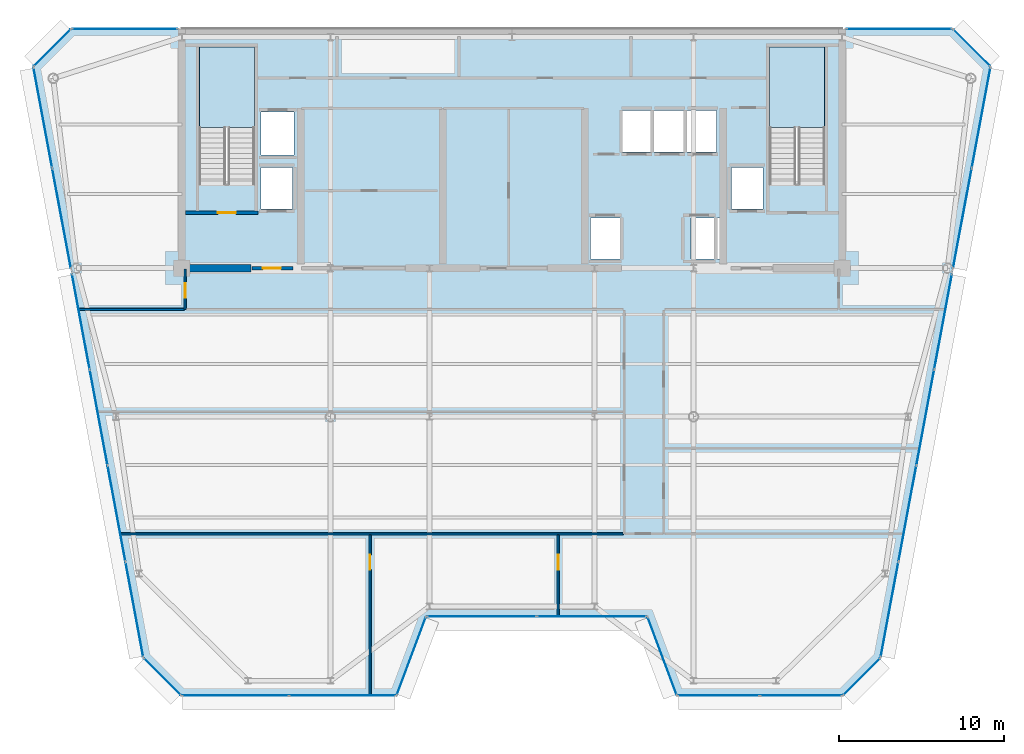
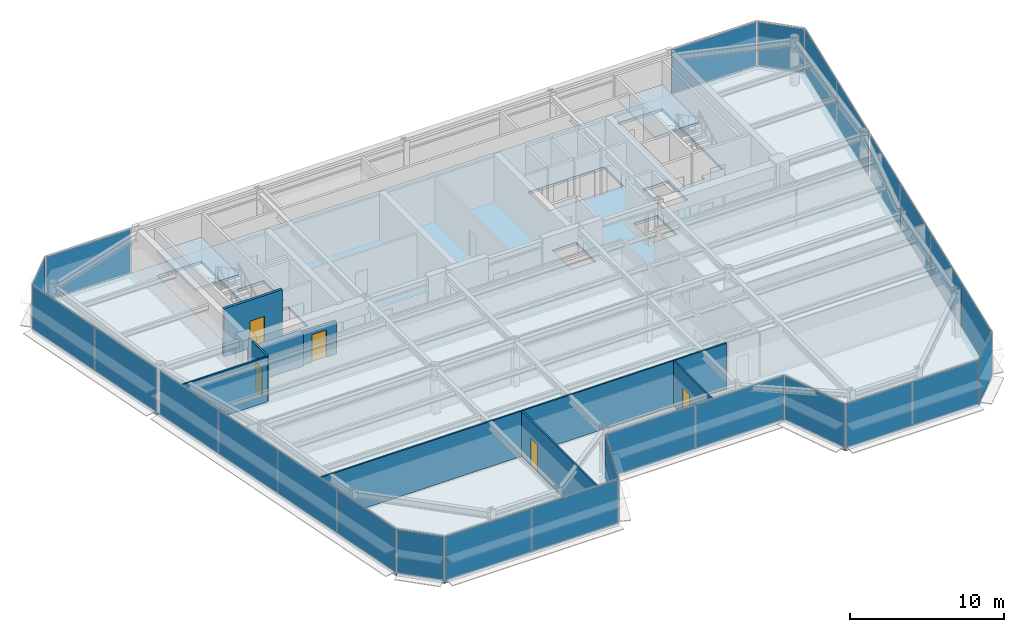
# One storey, part 9 of 18: 26 plates, 8 walls, 5 doors, 3 slabs, 5 openings, 17 elements without a shape of their own.
"""IFC4 building model written with IfcOpenShell, lengths in metres."""

import ifcopenshell
import ifcopenshell.guid

model = None  # the IFC model being written
_history = None  # IfcOwnerHistory: only IFC2X3 demands one
_inside = {}  # id of a spatial element -> (the spatial element, [elements in it])
_under = {}  # id of a project, library or spatial element -> (it, [spatial elements below it])
_declared = {}  # id of a project -> (the project, [libraries it declares])
_typed = {}  # id of a type object -> (the type object, [elements of that type])
_made_of = {}  # id of a material, layer set ... -> (it, [elements and type objects made of it])


def new_model(schema):
    """Start an empty IFC model of exactly this schema.

    Asked for "IFC4X3", IfcOpenShell would pick the latest addendum, in which some entities
    have other attributes; the version numbers below select the first issue.
    IFC2X3 requires an IfcOwnerHistory on every rooted entity: one is made here for all.
    """
    global model, _history
    if schema == "IFC4X3":
        model = ifcopenshell.file(schema_version=(4, 3, 0, 0))
    else:
        model = ifcopenshell.file(schema=schema)
    _inside.clear()
    _under.clear()
    _declared.clear()
    _typed.clear()
    _made_of.clear()
    _history = None
    if model.schema == "IFC2X3":
        org = make("IfcOrganization", Name="unknown")
        user = make(
            "IfcPersonAndOrganization",
            ThePerson=make("IfcPerson", FamilyName="unknown"),
            TheOrganization=org,
        )
        app = make(
            "IfcApplication",
            ApplicationDeveloper=org,
            Version="unknown",
            ApplicationFullName="unknown",
            ApplicationIdentifier="unknown",
        )
        _history = make(
            "IfcOwnerHistory",
            OwningUser=user,
            OwningApplication=app,
            ChangeAction="ADDED",
            CreationDate=0,
        )
    return model


def make(cls, **values):
    """One entity of the class cls with the attributes given. An attribute that is None is left unset."""
    return model.create_entity(
        cls, **{name: value for name, value in values.items() if value is not None}
    )


def rooted(cls, **values):
    """An entity with a GlobalId (a new one), such as an element, a storey or a relation."""
    return make(cls, GlobalId=ifcopenshell.guid.new(), OwnerHistory=_history, **values)


def si_unit(unit_type, name, prefix=None):
    """IfcSIUnit, for example si_unit("LENGTHUNIT", "METRE", prefix="MILLI")."""
    return make("IfcSIUnit", UnitType=unit_type, Prefix=prefix, Name=name)


def assignment(units):
    """IfcUnitAssignment: the units of a project."""
    return None if units is None else make("IfcUnitAssignment", Units=units)


def point(xyz):
    """IfcCartesianPoint."""
    return None if xyz is None else make("IfcCartesianPoint", Coordinates=xyz)


def direction(xyz):
    """IfcDirection."""
    return None if xyz is None else make("IfcDirection", DirectionRatios=xyz)


def frame(location, z_axis=None, x_axis=None):
    """IfcAxis2Placement3D, a coordinate frame: its origin and axes. An axis left out is left unset."""
    return make(
        "IfcAxis2Placement3D",
        Location=point(location),
        Axis=direction(z_axis),
        RefDirection=direction(x_axis),
    )


def frame_2d(location, x_axis=None):
    """IfcAxis2Placement2D, a coordinate frame in the plane: its origin and x axis."""
    return make(
        "IfcAxis2Placement2D", Location=point(location), RefDirection=direction(x_axis)
    )


def origin():
    """The frame at (0, 0, 0) with its axes left unset."""
    return frame((0.0, 0.0, 0.0))


def origin_2d():
    """The frame at (0, 0) in the plane with its x axis left unset."""
    return frame_2d((0.0, 0.0))


def place(relative_to, where):
    """IfcLocalPlacement: puts the frame where relative to a parent placement (None: the world)."""
    return make(
        "IfcLocalPlacement", PlacementRelTo=relative_to, RelativePlacement=where
    )


def context(
    kind, dimensions, precision=None, world=None, true_north=None, identifier=None
):
    """IfcGeometricRepresentationContext, for example the 3D "Model" context."""
    return make(
        "IfcGeometricRepresentationContext",
        ContextIdentifier=identifier,
        ContextType=kind,
        CoordinateSpaceDimension=dimensions,
        Precision=precision,
        WorldCoordinateSystem=world,
        TrueNorth=true_north,
    )


def subcontext(parent, identifier, kind, view, scale=None):
    """IfcGeometricRepresentationSubContext, for example "Body" below "Model"."""
    return make(
        "IfcGeometricRepresentationSubContext",
        ContextIdentifier=identifier,
        ContextType=kind,
        ParentContext=parent,
        TargetScale=scale,
        TargetView=view,
    )


def project(units=None, contexts=None):
    """IfcProject with its units and contexts."""
    return rooted(
        "IfcProject",
        Name="project",
        RepresentationContexts=contexts,
        UnitsInContext=assignment(units),
    )


def spatial(cls, under=None, at=None, **own):
    """A site, building, storey or space (cls), placed at a placement, below another one or the project."""
    s = rooted(cls, ObjectPlacement=at, **own)
    if under is not None:
        _under.setdefault(under.id(), (under, []))[1].append(s)
    return s


def polyline(points):
    """IfcPolyline through the points."""
    return make("IfcPolyline", Points=[point(p) for p in points])


def profile(cls, at=None, kind="AREA", **sizes):
    """A parametric profile (cls). Its sizes go by their IFC names, for example OverallWidth=200.0."""
    return make(cls, ProfileType=kind, Position=at, **sizes)


def rectangle(**sizes):
    """IfcRectangleProfileDef."""
    return profile("IfcRectangleProfileDef", **sizes)


def outline(outer, holes=None, kind="AREA"):
    """IfcArbitraryClosedProfileDef: a profile drawn as a closed curve; with holes, ...WithVoids."""
    if holes is None:
        return make("IfcArbitraryClosedProfileDef", ProfileType=kind, OuterCurve=outer)
    return make(
        "IfcArbitraryProfileDefWithVoids",
        ProfileType=kind,
        OuterCurve=outer,
        InnerCurves=holes,
    )


def extrude(swept, where, along, depth):
    """IfcExtrudedAreaSolid: the profile swept, set in the frame where, extruded along a direction by depth."""
    return make(
        "IfcExtrudedAreaSolid",
        SweptArea=swept,
        Position=where,
        ExtrudedDirection=direction(along),
        Depth=depth,
    )


def shape(context_of_items, identifier, shape_type, items):
    """IfcShapeRepresentation: the items that make up one representation, for example the "Body"."""
    return make(
        "IfcShapeRepresentation",
        ContextOfItems=context_of_items,
        RepresentationIdentifier=identifier,
        RepresentationType=shape_type,
        Items=items,
    )


def source(mapping_origin, context_of_items, identifier, shape_type, items):
    """IfcRepresentationMap: a shape defined once, which mapped items show again and again."""
    return make(
        "IfcRepresentationMap",
        MappingOrigin=mapping_origin,
        MappedRepresentation=shape(context_of_items, identifier, shape_type, items),
    )


def transform(
    local_origin,
    x_axis=None,
    y_axis=None,
    z_axis=None,
    scale=None,
    scale2=None,
    scale3=None,
    uniform=True,
):
    """IfcCartesianTransformationOperator3D, or its non-uniform kind. x_axis, y_axis, z_axis: its Axis1, 2, 3."""
    if uniform:
        return make(
            "IfcCartesianTransformationOperator3D",
            Axis1=direction(x_axis),
            Axis2=direction(y_axis),
            LocalOrigin=point(local_origin),
            Scale=scale,
            Axis3=direction(z_axis),
        )
    return make(
        "IfcCartesianTransformationOperator3DnonUniform",
        Axis1=direction(x_axis),
        Axis2=direction(y_axis),
        LocalOrigin=point(local_origin),
        Scale=scale,
        Axis3=direction(z_axis),
        Scale2=scale2,
        Scale3=scale3,
    )


def mapped(mapping_source, mapping_target):
    """IfcMappedItem: shows the shape of a source again, moved by a transform."""
    return make(
        "IfcMappedItem", MappingSource=mapping_source, MappingTarget=mapping_target
    )


def material(Name=None, Category=None):
    """IfcMaterial."""
    return make("IfcMaterial", Name=Name, Category=Category)


def layer(
    of_material, thickness, ventilated=None, Name=None, Category=None, Priority=None
):
    """IfcMaterialLayer: one layer of a wall or slab, of a material (None: an air gap)."""
    return make(
        "IfcMaterialLayer",
        Material=of_material,
        LayerThickness=thickness,
        IsVentilated=ventilated,
        Name=Name,
        Category=Category,
        Priority=Priority,
    )


def layer_set(layers, Name=None):
    """IfcMaterialLayerSet."""
    return make("IfcMaterialLayerSet", MaterialLayers=layers, LayerSetName=Name)


def made_of(thing, what):
    """Note that an element or type object is made of a material, layer set ...; save() writes the relation."""
    if what is not None:
        _made_of.setdefault(what.id(), (what, []))[1].append(thing)
    return thing


def type_object(cls, material=None, **own):
    """A type object (cls), such as IfcWallType, which elements share."""
    return made_of(rooted(cls, **own), material)


def element(
    cls,
    number,
    at=None,
    inside=None,
    cuts=None,
    type_object=None,
    material=None,
    context=None,
    identifier="Body",
    shape_type=None,
    held_by="IfcProductDefinitionShape",
    body=None,
    shapes=None,
    **own,
):
    """One element of the class cls, such as IfcWall. Its Tag is "e" and its number.

    at: its placement. inside: the storey or other place that contains it. cuts: it is an
    opening in that element (IfcRelVoidsElement). A single representation is given by context,
    identifier, shape_type and body (its items); several are given by shapes. held_by: the class
    of the entity that holds the representations. save() writes the other relations.
    """
    e = rooted(cls, Tag="e%d" % number, ObjectPlacement=at, **own)
    if body is not None:
        shapes = [shape(context, identifier, shape_type, body)]
    if shapes is not None:
        e.Representation = make(held_by, Representations=shapes)
    if inside is not None:
        _inside.setdefault(inside.id(), (inside, []))[1].append(e)
    if cuts is not None:
        rooted(
            "IfcRelVoidsElement", RelatingBuildingElement=cuts, RelatedOpeningElement=e
        )
    if type_object is not None:
        _typed.setdefault(type_object.id(), (type_object, []))[1].append(e)
    return made_of(e, material)


def fill(opening, filler):
    """IfcRelFillsElement: the door or window that sits in an opening."""
    return rooted(
        "IfcRelFillsElement",
        RelatingOpeningElement=opening,
        RelatedBuildingElement=filler,
    )


def aggregate(whole, parts):
    """IfcRelAggregates: a whole, such as a stair, and the parts it consists of."""
    return rooted("IfcRelAggregates", RelatingObject=whole, RelatedObjects=parts)


def save(model, path):
    """Write the relations noted so far, then the file.

    IfcRelAggregates (storeys below a building ...), IfcRelContainedInSpatialStructure (elements
    in a storey), IfcRelDefinesByType, IfcRelAssociatesMaterial and IfcRelDeclares: one each for
    every whole, place, type object, material and project.
    """
    for whole, parts in _under.values():
        aggregate(whole, parts)
    for where, things in _inside.values():
        rooted(
            "IfcRelContainedInSpatialStructure",
            RelatedElements=things,
            RelatingStructure=where,
        )
    for kind, things in _typed.values():
        rooted("IfcRelDefinesByType", RelatedObjects=things, RelatingType=kind)
    for what, things in _made_of.values():
        rooted("IfcRelAssociatesMaterial", RelatedObjects=things, RelatingMaterial=what)
    for by, libraries in _declared.values():
        rooted("IfcRelDeclares", RelatingContext=by, RelatedDefinitions=libraries)
    model.write(path)


model = new_model("IFC4")

# Units and contexts
model_context = context("Model", 3, precision=1e-05, world=origin(), true_north=direction((0.0, 1.0)))
body_context = subcontext(model_context, "Body", "Model", "MODEL_VIEW")
ifc_project = project(units=[si_unit("LENGTHUNIT", "METRE"), si_unit("AREAUNIT", "SQUARE_METRE"), si_unit("VOLUMEUNIT", "CUBIC_METRE"), si_unit("PLANEANGLEUNIT", "RADIAN"), si_unit("MASSUNIT", "GRAM", prefix="KILO")], contexts=[model_context])

# Site, building, storey
site_placement = place(None, origin())
site = spatial("IfcSite", under=ifc_project, at=site_placement, CompositionType="ELEMENT")
building_placement = place(site_placement, origin())
building = spatial("IfcBuilding", under=site, at=building_placement, Name="Vaeldorn Concourse Tower", CompositionType="ELEMENT")
storey_placement = place(building_placement, frame((0.0, 0.0, 253.60009765625)))
storey = spatial("IfcBuildingStorey", under=building, at=storey_placement, Name="L65", CompositionType="ELEMENT", Elevation=253.60009765625)

# Stair, slab
ifc_material_1 = material(Name="Precast concrete C40/50", Category="concrete")
stair_type = type_object("IfcStairType", Name="STR-DOG-24x158", PredefinedType="HALF_TURN_STAIR", material=ifc_material_1)
stair_1_placement = place(storey_placement, origin())
stair_1 = element("IfcStair", 1, at=stair_1_placement, inside=storey, type_object=stair_type, Name="L65 West Core Exit Stair ST-1", PredefinedType="HALF_TURN_STAIR")
ifc_material_2 = material(Name="Concrete C40/50", Category="concrete")
ifc_layer_1 = layer(ifc_material_2, 0.199951171875)
ifc_layer_set_1 = layer_set([ifc_layer_1], Name="Concrete C40/50")
slab_type_1 = type_object("IfcSlabType", Name="SL-STAIR-LANDING", PredefinedType="LANDING", material=ifc_layer_set_1)
slab_1_placement = place(storey_placement, frame((0.0, 0.0, 1.699951171875)))
slab_1 = element("IfcSlab", 2, at=slab_1_placement, type_object=slab_type_1, Name="ST-1 landing 1", PredefinedType="LANDING", context=body_context, shape_type="SweptSolid", body=[
    extrude(outline(polyline([(18.39990234375, 45.010009765625), (18.39990234375, 49.89990234375), (15.050048828125, 49.89990234375), (15.050048828125, 45.010009765625), (18.39990234375, 45.010009765625)])), origin(), (0.0, 0.0, 1.0), 0.199951171875),
])
aggregate(stair_1, [slab_1])

stair_2_placement = place(storey_placement, origin())
stair_2 = element("IfcStair", 3, at=stair_2_placement, inside=storey, type_object=stair_type, Name="L65 East Core Exit Stair ST-2", PredefinedType="HALF_TURN_STAIR")
slab_2_placement = place(storey_placement, frame((0.0, 0.0, 1.699951171875)))
slab_2 = element("IfcSlab", 4, at=slab_2_placement, type_object=slab_type_1, Name="ST-2 landing 1", PredefinedType="LANDING", context=body_context, shape_type="SweptSolid", body=[
    extrude(outline(polyline([(52.949951171875, 45.010009765625), (52.949951171875, 49.89990234375), (49.60009765625, 49.89990234375), (49.60009765625, 45.010009765625), (52.949951171875, 45.010009765625)])), origin(), (0.0, 0.0, 1.0), 0.199951171875),
])
aggregate(stair_2, [slab_2])

# Slab
ifc_layer_2 = layer(ifc_material_2, 0.219970703125)
ifc_layer_set_2 = layer_set([ifc_layer_2], Name="Concrete C40/50")
slab_type_2 = type_object("IfcSlabType", Name="SL-TYP-220", PredefinedType="FLOOR", material=ifc_layer_set_2)
slab_3_placement = place(storey_placement, frame((0.0, 0.0, -0.22021484375)))
element("IfcSlab", 5, at=slab_3_placement, inside=storey, type_object=slab_type_2, Name="Structural Floor Slab L65", PredefinedType="FLOOR", context=body_context, shape_type="SweptSolid", body=[
    extrude(outline(polyline([(13.966064453125, 10.60009765625), (27.0, 10.60009765625), (28.800048828125, 15.39990234375), (42.199951171875, 15.39990234375), (44.0, 10.60009765625), (54.033935546875, 10.60009765625), (56.333984375, 12.89990234375), (63.0, 48.699951171875), (60.699951171875, 51.0), (7.300048828125, 51.0), (5.0, 48.699951171875), (11.666015625, 12.89990234375), (13.966064453125, 10.60009765625)]), holes=[polyline([(18.39990234375, 42.0), (18.39990234375, 49.89990234375), (15.050048828125, 49.89990234375), (15.050048828125, 41.60009765625), (16.800048828125, 41.60009765625), (16.800048828125, 42.0), (18.39990234375, 42.0)]), polyline([(52.949951171875, 42.0), (52.949951171875, 49.89990234375), (49.60009765625, 49.89990234375), (49.60009765625, 41.60009765625), (51.35009765625, 41.60009765625), (51.35009765625, 42.0), (52.949951171875, 42.0)]), polyline([(38.75, 37.050048828125), (40.550048828125, 37.050048828125), (40.550048828125, 39.550048828125), (38.75, 39.550048828125), (38.75, 37.050048828125)]), polyline([(44.85009765625, 37.050048828125), (46.64990234375, 37.050048828125), (46.64990234375, 39.550048828125), (44.85009765625, 39.550048828125), (44.85009765625, 37.050048828125)]), polyline([(40.699951171875, 43.550048828125), (46.39990234375, 43.550048828125), (46.39990234375, 46.050048828125), (40.699951171875, 46.050048828125), (40.699951171875, 43.550048828125)]), polyline([(18.800048828125, 43.35009765625), (20.800048828125, 43.35009765625), (20.800048828125, 45.949951171875), (18.800048828125, 45.949951171875), (18.800048828125, 43.35009765625)]), polyline([(18.800048828125, 40.10009765625), (20.699951171875, 40.10009765625), (20.699951171875, 42.60009765625), (18.800048828125, 42.60009765625), (18.800048828125, 40.10009765625)]), polyline([(47.300048828125, 40.10009765625), (49.199951171875, 40.10009765625), (49.199951171875, 42.60009765625), (47.300048828125, 42.60009765625), (47.300048828125, 40.10009765625)])]), origin(), (0.0, 0.0, 1.0), 0.22021484375),
])

# Curtain wall, plate
ifc_material_3 = material(Name="Anodised Bronze Aluminium", Category="aluminium")
ifc_layer_3 = layer(ifc_material_3, 0.179931640625)
ifc_layer_set_3 = layer_set([ifc_layer_3], Name="Anodised Bronze Aluminium")
curtain_wall_type = type_object("IfcCurtainWallType", Name="CW-SYS-05", PredefinedType="NOTDEFINED", material=ifc_layer_set_3)
curtain_wall_1_placement = place(storey_placement, origin())
curtain_wall_1 = element("IfcCurtainWall", 6, at=curtain_wall_1_placement, inside=storey, type_object=curtain_wall_type, Name="Unitised Curtain Wall CW-L65-E02-1", PredefinedType="NOTDEFINED")
ifc_material_4 = material(Name="Bronze Tinted Low-E Insulated Glass", Category="glass")
ifc_layer_4 = layer(ifc_material_4, 0.031982421875)
ifc_layer_set_4 = layer_set([ifc_layer_4], Name="Bronze Tinted Low-E Insulated Glass")
plate_type = type_object("IfcPlateType", Name="CWP-VISION-32", PredefinedType="CURTAIN_PANEL", material=ifc_layer_set_4)
shared_shape_1 = source(origin(), body_context, "Body", "SweptSolid", [
    extrude(rectangle(XDim=4.996337890625, YDim=0.031982421875, at=origin_2d()), origin(), (0.0, 0.0, 1.0), 3.449951171875),
])
plate_1_placement = place(storey_placement, frame((27.89990234375, 13.0, 0.06494140625), z_axis=(0.0, 0.0, 1.0), x_axis=(0.351123441595, 0.936329177566, 0.0)))
plate_1 = element("IfcPlate", 7, at=plate_1_placement, type_object=plate_type, Name="CW-05 panel 1.1", PredefinedType="CURTAIN_PANEL", context=body_context, shape_type="MappedRepresentation", body=[
    mapped(shared_shape_1, transform((0.0, 0.0, 0.0), scale=1.0)),
])
aggregate(curtain_wall_1, [plate_1])

curtain_wall_2_placement = place(storey_placement, origin())
curtain_wall_2 = element("IfcCurtainWall", 8, at=curtain_wall_2_placement, inside=storey, type_object=curtain_wall_type, Name="Unitised Curtain Wall CW-L65-E04-1", PredefinedType="NOTDEFINED")
plate_2_placement = place(storey_placement, frame((43.10009765625, 13.0, 0.06494140625), z_axis=(0.0, 0.0, 1.0), x_axis=(0.351123441595, -0.936329177566, 0.0)))
plate_2 = element("IfcPlate", 9, at=plate_2_placement, type_object=plate_type, Name="CW-05 panel 1.1", PredefinedType="CURTAIN_PANEL", context=body_context, shape_type="MappedRepresentation", body=[
    mapped(shared_shape_1, transform((0.0, 0.0, 0.0), scale=1.0)),
])
aggregate(curtain_wall_2, [plate_2])

# Curtain wall, plates
curtain_wall_3_placement = place(storey_placement, origin())
curtain_wall_3 = element("IfcCurtainWall", 10, at=curtain_wall_3_placement, inside=storey, type_object=curtain_wall_type, Name="Unitised Curtain Wall CW-L65-E03-1", PredefinedType="NOTDEFINED")
shared_shape_2 = source(origin(), body_context, "Body", "SweptSolid", [
    extrude(rectangle(XDim=6.6025390625, YDim=0.031982421875, at=origin_2d()), origin(), (0.0, 0.0, 1.0), 3.449951171875),
])
plate_3_placement = place(storey_placement, frame((32.166259765625, 15.39990234375, 0.06494140625), z_axis=(0.0, 0.0, 1.0), x_axis=(1.0, 0.0, 0.0)))
plate_3 = element("IfcPlate", 11, at=plate_3_placement, type_object=plate_type, Name="CW-05 panel 1.1", PredefinedType="CURTAIN_PANEL", context=body_context, shape_type="MappedRepresentation", body=[
    mapped(shared_shape_2, transform((0.0, 0.0, 0.0), scale=1.0)),
])
plate_4_placement = place(storey_placement, frame((38.833740234375, 15.39990234375, 0.06494140625), z_axis=(0.0, 0.0, 1.0), x_axis=(1.0, 0.0, 0.0)))
plate_4 = element("IfcPlate", 12, at=plate_4_placement, type_object=plate_type, Name="CW-05 panel 2.1", PredefinedType="CURTAIN_PANEL", context=body_context, shape_type="MappedRepresentation", body=[
    mapped(shared_shape_2, transform((0.0, 0.0, 0.0), scale=1.0)),
])
aggregate(curtain_wall_3, [plate_3, plate_4])

# Curtain wall, plate
curtain_wall_4_placement = place(storey_placement, origin())
curtain_wall_4 = element("IfcCurtainWall", 13, at=curtain_wall_4_placement, inside=storey, type_object=curtain_wall_type, Name="Unitised Curtain Wall CW-L65-E06-1", PredefinedType="NOTDEFINED")
shared_shape_3 = source(origin(), body_context, "Body", "SweptSolid", [
    extrude(rectangle(XDim=3.122802734375, YDim=0.031982421875, at=origin_2d()), origin(), (0.0, 0.0, 1.0), 3.449951171875),
])
plate_5_placement = place(storey_placement, frame((55.18408203125, 11.75, 0.06494140625), z_axis=(0.0, 0.0, 1.0), x_axis=(0.707106781187, 0.707106781187, 0.0)))
plate_5 = element("IfcPlate", 14, at=plate_5_placement, type_object=plate_type, Name="CW-05 panel 1.1", PredefinedType="CURTAIN_PANEL", context=body_context, shape_type="MappedRepresentation", body=[
    mapped(shared_shape_3, transform((0.0, 0.0, 0.0), scale=1.0)),
])
aggregate(curtain_wall_4, [plate_5])

curtain_wall_5_placement = place(storey_placement, origin())
curtain_wall_5 = element("IfcCurtainWall", 15, at=curtain_wall_5_placement, inside=storey, type_object=curtain_wall_type, Name="Unitised Curtain Wall CW-L65-E08-1", PredefinedType="NOTDEFINED")
plate_6_placement = place(storey_placement, frame((61.85009765625, 49.85009765625, 0.06494140625), z_axis=(0.0, 0.0, 1.0), x_axis=(-0.707106781187, 0.707106781187, 0.0)))
plate_6 = element("IfcPlate", 16, at=plate_6_placement, type_object=plate_type, Name="CW-05 panel 1.1", PredefinedType="CURTAIN_PANEL", context=body_context, shape_type="MappedRepresentation", body=[
    mapped(shared_shape_3, transform((0.0, 0.0, 0.0), scale=1.0)),
])
aggregate(curtain_wall_5, [plate_6])

curtain_wall_6_placement = place(storey_placement, origin())
curtain_wall_6 = element("IfcCurtainWall", 17, at=curtain_wall_6_placement, inside=storey, type_object=curtain_wall_type, Name="Unitised Curtain Wall CW-L65-E10-1", PredefinedType="NOTDEFINED")
plate_7_placement = place(storey_placement, frame((6.14990234375, 49.85009765625, 0.06494140625), z_axis=(0.0, 0.0, 1.0), x_axis=(-0.707106781187, -0.707106781187, 0.0)))
plate_7 = element("IfcPlate", 18, at=plate_7_placement, type_object=plate_type, Name="CW-05 panel 1.1", PredefinedType="CURTAIN_PANEL", context=body_context, shape_type="MappedRepresentation", body=[
    mapped(shared_shape_3, transform((0.0, 0.0, 0.0), scale=1.0)),
])
aggregate(curtain_wall_6, [plate_7])

curtain_wall_7_placement = place(storey_placement, origin())
curtain_wall_7 = element("IfcCurtainWall", 19, at=curtain_wall_7_placement, inside=storey, type_object=curtain_wall_type, Name="Unitised Curtain Wall CW-L65-E12-1", PredefinedType="NOTDEFINED")
plate_8_placement = place(storey_placement, frame((12.81591796875, 11.75, 0.06494140625), z_axis=(0.0, 0.0, 1.0), x_axis=(0.707106781187, -0.707106781187, 0.0)))
plate_8 = element("IfcPlate", 20, at=plate_8_placement, type_object=plate_type, Name="CW-05 panel 1.1", PredefinedType="CURTAIN_PANEL", context=body_context, shape_type="MappedRepresentation", body=[
    mapped(shared_shape_3, transform((0.0, 0.0, 0.0), scale=1.0)),
])
aggregate(curtain_wall_7, [plate_8])

# Curtain wall, plates
curtain_wall_8_placement = place(storey_placement, origin())
curtain_wall_8 = element("IfcCurtainWall", 21, at=curtain_wall_8_placement, inside=storey, type_object=curtain_wall_type, Name="Unitised Curtain Wall CW-L65-E07-1", PredefinedType="NOTDEFINED")
shared_shape_4 = source(origin(), body_context, "Body", "SweptSolid", [
    extrude(rectangle(XDim=5.82373046875, YDim=0.031982421875, at=origin_2d()), origin(), (0.0, 0.0, 1.0), 3.449951171875),
])
plate_9_placement = place(storey_placement, frame((56.87890625, 15.82666015625, 0.06494140625), z_axis=(0.0, 0.0, 1.0), x_axis=(0.18305510739, 0.983102653673, 0.0)))
plate_9 = element("IfcPlate", 22, at=plate_9_placement, type_object=plate_type, Name="CW-05 panel 1.1", PredefinedType="CURTAIN_PANEL", context=body_context, shape_type="MappedRepresentation", body=[
    mapped(shared_shape_4, transform((0.0, 0.0, 0.0), scale=1.0)),
])
plate_10_placement = place(storey_placement, frame((60.124755859375, 33.25830078125, 0.06494140625), z_axis=(0.0, 0.0, 1.0), x_axis=(0.18305510739, 0.983102653673, 0.0)))
plate_10 = element("IfcPlate", 23, at=plate_10_placement, type_object=plate_type, Name="CW-05 panel 4.1", PredefinedType="CURTAIN_PANEL", context=body_context, shape_type="MappedRepresentation", body=[
    mapped(shared_shape_4, transform((0.0, 0.0, 0.0), scale=1.0)),
])

curtain_wall_9_placement = place(storey_placement, origin())
curtain_wall_9 = element("IfcCurtainWall", 24, at=curtain_wall_9_placement, inside=storey, type_object=curtain_wall_type, Name="Unitised Curtain Wall CW-L65-E11-2", PredefinedType="NOTDEFINED")
plate_11_placement = place(storey_placement, frame((7.875244140625, 33.25830078125, 0.06494140625), z_axis=(0.0, 0.0, 1.0), x_axis=(0.18305510739, -0.983102653673, 0.0)))
plate_11 = element("IfcPlate", 25, at=plate_11_placement, type_object=plate_type, Name="CW-05 panel 1.1", PredefinedType="CURTAIN_PANEL", context=body_context, shape_type="MappedRepresentation", body=[
    mapped(shared_shape_4, transform((0.0, 0.0, 0.0), scale=1.0)),
])
plate_12_placement = place(storey_placement, frame((11.12109375, 15.82666015625, 0.06494140625), z_axis=(0.0, 0.0, 1.0), x_axis=(0.18305510739, -0.983102653673, 0.0)))
plate_12 = element("IfcPlate", 26, at=plate_12_placement, type_object=plate_type, Name="CW-05 panel 4.1", PredefinedType="CURTAIN_PANEL", context=body_context, shape_type="MappedRepresentation", body=[
    mapped(shared_shape_4, transform((0.0, 0.0, 0.0), scale=1.0)),
])

# Plate
shared_shape_5 = source(origin(), body_context, "Body", "SweptSolid", [
    extrude(rectangle(XDim=5.856201171875, YDim=0.031982421875, at=origin_2d()), origin(), (0.0, 0.0, 1.0), 3.449951171875),
])
plate_13_placement = place(storey_placement, frame((57.9599609375, 21.6318359375, 0.06494140625), z_axis=(0.0, 0.0, 1.0), x_axis=(0.18305510739, 0.983102653673, 0.0)))
plate_13 = element("IfcPlate", 27, at=plate_13_placement, type_object=plate_type, Name="CW-05 panel 2.1", PredefinedType="CURTAIN_PANEL", context=body_context, shape_type="MappedRepresentation", body=[
    mapped(shared_shape_5, transform((0.0, 0.0, 0.0), scale=1.0)),
])

plate_14_placement = place(storey_placement, frame((59.043701171875, 27.453125, 0.06494140625), z_axis=(0.0, 0.0, 1.0), x_axis=(0.18305510739, 0.983102653673, 0.0)))
plate_14 = element("IfcPlate", 28, at=plate_14_placement, type_object=plate_type, Name="CW-05 panel 3.1", PredefinedType="CURTAIN_PANEL", context=body_context, shape_type="MappedRepresentation", body=[
    mapped(shared_shape_5, transform((0.0, 0.0, 0.0), scale=1.0)),
])

aggregate(curtain_wall_8, [plate_9, plate_13, plate_14, plate_10])

plate_15_placement = place(storey_placement, frame((8.956298828125, 27.453125, 0.06494140625), z_axis=(0.0, 0.0, 1.0), x_axis=(0.18305510739, -0.983102653673, 0.0)))
plate_15 = element("IfcPlate", 29, at=plate_15_placement, type_object=plate_type, Name="CW-05 panel 2.1", PredefinedType="CURTAIN_PANEL", context=body_context, shape_type="MappedRepresentation", body=[
    mapped(shared_shape_5, transform((0.0, 0.0, 0.0), scale=1.0)),
])

plate_16_placement = place(storey_placement, frame((10.0400390625, 21.6318359375, 0.06494140625), z_axis=(0.0, 0.0, 1.0), x_axis=(0.18305510739, -0.983102653673, 0.0)))
plate_16 = element("IfcPlate", 30, at=plate_16_placement, type_object=plate_type, Name="CW-05 panel 3.1", PredefinedType="CURTAIN_PANEL", context=body_context, shape_type="MappedRepresentation", body=[
    mapped(shared_shape_5, transform((0.0, 0.0, 0.0), scale=1.0)),
])

aggregate(curtain_wall_9, [plate_11, plate_15, plate_16, plate_12])

# Curtain wall, plates
curtain_wall_10_placement = place(storey_placement, origin())
curtain_wall_10 = element("IfcCurtainWall", 31, at=curtain_wall_10_placement, inside=storey, type_object=curtain_wall_type, Name="Unitised Curtain Wall CW-L65-E07-2", PredefinedType="NOTDEFINED")
shared_shape_6 = source(origin(), body_context, "Body", "SweptSolid", [
    extrude(rectangle(XDim=6.143798828125, YDim=0.031982421875, at=origin_2d()), origin(), (0.0, 0.0, 1.0), 3.449951171875),
])
plate_17_placement = place(storey_placement, frame((61.289306640625, 39.51220703125, 0.06494140625), z_axis=(0.0, 0.0, 1.0), x_axis=(0.183054493257, 0.983102768025, 0.0)))
plate_17 = element("IfcPlate", 32, at=plate_17_placement, type_object=plate_type, Name="CW-05 panel 1.1", PredefinedType="CURTAIN_PANEL", context=body_context, shape_type="MappedRepresentation", body=[
    mapped(shared_shape_6, transform((0.0, 0.0, 0.0), scale=1.0)),
])
plate_18_placement = place(storey_placement, frame((62.42578125, 45.6162109375, 0.06494140625), z_axis=(0.0, 0.0, 1.0), x_axis=(0.183054493257, 0.983102768025, 0.0)))
plate_18 = element("IfcPlate", 33, at=plate_18_placement, type_object=plate_type, Name="CW-05 panel 2.1", PredefinedType="CURTAIN_PANEL", context=body_context, shape_type="MappedRepresentation", body=[
    mapped(shared_shape_6, transform((0.0, 0.0, 0.0), scale=1.0)),
])
aggregate(curtain_wall_10, [plate_17, plate_18])

curtain_wall_11_placement = place(storey_placement, origin())
curtain_wall_11 = element("IfcCurtainWall", 34, at=curtain_wall_11_placement, inside=storey, type_object=curtain_wall_type, Name="Unitised Curtain Wall CW-L65-E11-1", PredefinedType="NOTDEFINED")
plate_19_placement = place(storey_placement, frame((5.57421875, 45.6162109375, 0.06494140625), z_axis=(0.0, 0.0, 1.0), x_axis=(0.183054493257, -0.983102768025, 0.0)))
plate_19 = element("IfcPlate", 35, at=plate_19_placement, type_object=plate_type, Name="CW-05 panel 1.1", PredefinedType="CURTAIN_PANEL", context=body_context, shape_type="MappedRepresentation", body=[
    mapped(shared_shape_6, transform((0.0, 0.0, 0.0), scale=1.0)),
])
plate_20_placement = place(storey_placement, frame((6.710693359375, 39.51220703125, 0.06494140625), z_axis=(0.0, 0.0, 1.0), x_axis=(0.183054493257, -0.983102768025, 0.0)))
plate_20 = element("IfcPlate", 36, at=plate_20_placement, type_object=plate_type, Name="CW-05 panel 2.1", PredefinedType="CURTAIN_PANEL", context=body_context, shape_type="MappedRepresentation", body=[
    mapped(shared_shape_6, transform((0.0, 0.0, 0.0), scale=1.0)),
])
aggregate(curtain_wall_11, [plate_19, plate_20])

curtain_wall_12_placement = place(storey_placement, origin())
curtain_wall_12 = element("IfcCurtainWall", 37, at=curtain_wall_12_placement, inside=storey, type_object=curtain_wall_type, Name="Unitised Curtain Wall CW-L65-E01-1", PredefinedType="NOTDEFINED")
shared_shape_7 = source(origin(), body_context, "Body", "SweptSolid", [
    extrude(rectangle(XDim=6.41943359375, YDim=0.031982421875, at=origin_2d()), origin(), (0.0, 0.0, 1.0), 3.449951171875),
])
plate_21_placement = place(storey_placement, frame((17.24072265625, 10.60009765625, 0.06494140625), z_axis=(0.0, 0.0, 1.0), x_axis=(1.0, 0.0, 0.0)))
plate_21 = element("IfcPlate", 38, at=plate_21_placement, type_object=plate_type, Name="CW-05 panel 1.1", PredefinedType="CURTAIN_PANEL", context=body_context, shape_type="MappedRepresentation", body=[
    mapped(shared_shape_7, transform((0.0, 0.0, 0.0), scale=1.0)),
])
plate_22_placement = place(storey_placement, frame((23.725341796875, 10.60009765625, 0.06494140625), z_axis=(0.0, 0.0, 1.0), x_axis=(1.0, 0.0, 0.0)))
plate_22 = element("IfcPlate", 39, at=plate_22_placement, type_object=plate_type, Name="CW-05 panel 2.1", PredefinedType="CURTAIN_PANEL", context=body_context, shape_type="MappedRepresentation", body=[
    mapped(shared_shape_7, transform((0.0, 0.0, 0.0), scale=1.0)),
])
aggregate(curtain_wall_12, [plate_21, plate_22])

curtain_wall_13_placement = place(storey_placement, origin())
curtain_wall_13 = element("IfcCurtainWall", 40, at=curtain_wall_13_placement, inside=storey, type_object=curtain_wall_type, Name="Unitised Curtain Wall CW-L65-E05-1", PredefinedType="NOTDEFINED")
shared_shape_8 = source(origin(), body_context, "Body", "SweptSolid", [
    extrude(rectangle(XDim=4.91943359375, YDim=0.031982421875, at=origin_2d()), origin(), (0.0, 0.0, 1.0), 3.449951171875),
])
plate_23_placement = place(storey_placement, frame((46.524658203125, 10.60009765625, 0.06494140625), z_axis=(0.0, 0.0, 1.0), x_axis=(1.0, 0.0, 0.0)))
plate_23 = element("IfcPlate", 41, at=plate_23_placement, type_object=plate_type, Name="CW-05 panel 1.1", PredefinedType="CURTAIN_PANEL", context=body_context, shape_type="MappedRepresentation", body=[
    mapped(shared_shape_8, transform((0.0, 0.0, 0.0), scale=1.0)),
])
plate_24_placement = place(storey_placement, frame((51.50927734375, 10.60009765625, 0.06494140625), z_axis=(0.0, 0.0, 1.0), x_axis=(1.0, 0.0, 0.0)))
plate_24 = element("IfcPlate", 42, at=plate_24_placement, type_object=plate_type, Name="CW-05 panel 2.1", PredefinedType="CURTAIN_PANEL", context=body_context, shape_type="MappedRepresentation", body=[
    mapped(shared_shape_8, transform((0.0, 0.0, 0.0), scale=1.0)),
])
aggregate(curtain_wall_13, [plate_23, plate_24])

# Curtain wall, plate
curtain_wall_14_placement = place(storey_placement, origin())
curtain_wall_14 = element("IfcCurtainWall", 43, at=curtain_wall_14_placement, inside=storey, type_object=curtain_wall_type, Name="Unitised Curtain Wall CW-L65-E09-1", PredefinedType="NOTDEFINED")
shared_shape_9 = source(origin(), body_context, "Body", "SweptSolid", [
    extrude(rectangle(XDim=6.35009765625, YDim=0.031982421875, at=origin_2d()), origin(), (0.0, 0.0, 1.0), 3.449951171875),
])
plate_25_placement = place(storey_placement, frame((57.4599609375, 51.0, 0.06494140625), z_axis=(0.0, 0.0, 1.0), x_axis=(-1.0, 0.0, 0.0)))
plate_25 = element("IfcPlate", 44, at=plate_25_placement, type_object=plate_type, Name="CW-05 panel 1.1", PredefinedType="CURTAIN_PANEL", context=body_context, shape_type="MappedRepresentation", body=[
    mapped(shared_shape_9, transform((0.0, 0.0, 0.0), scale=1.0)),
])
aggregate(curtain_wall_14, [plate_25])

curtain_wall_15_placement = place(storey_placement, origin())
curtain_wall_15 = element("IfcCurtainWall", 45, at=curtain_wall_15_placement, inside=storey, type_object=curtain_wall_type, Name="Unitised Curtain Wall CW-L65-E09-2", PredefinedType="NOTDEFINED")
plate_26_placement = place(storey_placement, frame((10.5400390625, 51.0, 0.06494140625), z_axis=(0.0, 0.0, 1.0), x_axis=(-1.0, 0.0, 0.0)))
plate_26 = element("IfcPlate", 46, at=plate_26_placement, type_object=plate_type, Name="CW-05 panel 1.1", PredefinedType="CURTAIN_PANEL", context=body_context, shape_type="MappedRepresentation", body=[
    mapped(shared_shape_9, transform((0.0, 0.0, 0.0), scale=1.0)),
])
aggregate(curtain_wall_15, [plate_26])

# Wall
ifc_material_5 = material(Name="Concrete C50/60", Category="concrete")
ifc_layer_5 = layer(ifc_material_5, 0.449951171875)
ifc_layer_set_5 = layer_set([ifc_layer_5], Name="Concrete C50/60")
wall_type_1 = type_object("IfcWallType", Name="WL-CORE-450", PredefinedType="SHEAR", material=ifc_layer_set_5)
wall_1_placement = place(storey_placement, frame((14.2451171875, 36.5, 0.0), z_axis=(0.0, 0.0, 1.0), x_axis=(1.0, 0.0, 0.0)))
element("IfcWall", 47, at=wall_1_placement, inside=storey, type_object=wall_type_1, Name="Rear Core Shear Wall L65 S1", PredefinedType="SHEAR", context=body_context, shape_type="SweptSolid", body=[
    extrude(rectangle(XDim=3.954833984375, YDim=0.449951171875, at=frame_2d((1.9775390625, 0.0))), origin(), (0.0, 0.0, 1.0), 2.579833984375),
])

# Wall, opening, door
ifc_material_6 = material(Name="Gypsum Board Partition", Category="gypsum")
ifc_layer_6 = layer(ifc_material_6, 0.1201171875)
ifc_layer_set_6 = layer_set([ifc_layer_6], Name="Gypsum Board Partition")
wall_type_2 = type_object("IfcWallType", Name="WL-PART-120", PredefinedType="PARTITIONING", material=ifc_layer_set_6)
wall_2_placement = place(storey_placement, frame((14.199951171875, 34.0, 0.0), z_axis=(0.0, 0.0, 1.0), x_axis=(0.0, 1.0, 0.0)))
wall_2 = element("IfcWall", 48, at=wall_2_placement, inside=storey, type_object=wall_type_2, Name="Interior Wall PW-L65-C3W", PredefinedType="PARTITIONING", context=body_context, shape_type="SweptSolid", body=[
    extrude(rectangle(XDim=2.43994140625, YDim=0.1201171875, at=frame_2d((1.219970703125, 0.0))), origin(), (0.0, 0.0, 1.0), 3.579833984375),
])
opening_1_placement = place(wall_2_placement, frame((0.699951171875, 0.0, 0.0)))
opening_1 = element("IfcOpeningElement", 49, at=opening_1_placement, cuts=wall_2, Name="Opening D-03", PredefinedType="OPENING", context=body_context, shape_type="SweptSolid", body=[
    extrude(rectangle(XDim=0.89990234375, YDim=2.14990234375, at=frame_2d((0.449951171875, 1.074951171875))), frame((0.0, 0.070068359375, 0.0), z_axis=(0.0, -1.0, 0.0), x_axis=(1.0, 0.0, 0.0)), (0.0, 0.0, 1.0), 0.14013671875),
])
ifc_material_7 = material(Name="Acoustic Bronze-Framed Glass Door", Category="glass")
door_type_1 = type_object("IfcDoorType", Name="DR-INT-900", OperationType="NOTDEFINED", PredefinedType="DOOR", material=ifc_material_7)
shared_shape_10 = source(origin(), body_context, "Body", "SweptSolid", [
    extrude(rectangle(XDim=0.89990234375, YDim=2.14990234375, at=frame_2d((0.449951171875, 1.074951171875))), frame((0.0, 0.02490234375, 0.0), z_axis=(0.0, -1.0, 0.0), x_axis=(1.0, 0.0, 0.0)), (0.0, 0.0, 1.0), 0.050048828125),
])
door_1_placement = place(opening_1_placement, origin())
door_1 = element("IfcDoor", 50, at=door_1_placement, inside=storey, type_object=door_type_1, Name="Interior Door DR-L65-Z3NW", OperationType="SINGLE_SWING_LEFT", OverallHeight=2.14990234375, OverallWidth=0.89990234375, PredefinedType="DOOR", context=body_context, shape_type="MappedRepresentation", body=[
    mapped(shared_shape_10, transform((0.0, 0.0, 0.0), scale=1.0)),
])
fill(opening_1, door_1)

# Walls
wall_3_placement = place(storey_placement, frame((7.777099609375, 34.0, 0.0), z_axis=(0.0, 0.0, 1.0), x_axis=(1.0, 0.0, 0.0)))
element("IfcWall", 51, at=wall_3_placement, inside=storey, type_object=wall_type_2, Name="Interior Wall PW-L65-Z3NWB", PredefinedType="PARTITIONING", context=body_context, shape_type="SweptSolid", body=[
    extrude(rectangle(XDim=6.36279296875, YDim=0.1201171875, at=frame_2d((3.181396484375, 0.0))), origin(), (0.0, 0.0, 1.0), 3.579833984375),
])
wall_4_placement = place(storey_placement, frame((10.3095703125, 20.39990234375, 0.0), z_axis=(0.0, 0.0, 1.0), x_axis=(1.0, 0.0, 0.0)))
element("IfcWall", 52, at=wall_4_placement, inside=storey, type_object=wall_type_2, Name="Interior Wall PW-L65-Z3SWL", PredefinedType="PARTITIONING", context=body_context, shape_type="SweptSolid", body=[
    extrude(rectangle(XDim=30.430419921875, YDim=0.1201171875, at=frame_2d((15.21533203125, 0.0))), origin(), (0.0, 0.0, 1.0), 3.579833984375),
])

# Wall, opening, door
wall_5_placement = place(storey_placement, frame((25.39990234375, 10.639892578125, 0.0), z_axis=(0.0, 0.0, 1.0), x_axis=(0.0, 1.0, 0.0)))
wall_5 = element("IfcWall", 53, at=wall_5_placement, inside=storey, type_object=wall_type_2, Name="Interior Wall PW-L65-Z3SX1", PredefinedType="PARTITIONING", context=body_context, shape_type="SweptSolid", body=[
    extrude(rectangle(XDim=9.7001953125, YDim=0.1201171875, at=frame_2d((4.85009765625, 0.0))), origin(), (0.0, 0.0, 1.0), 3.579833984375),
])
opening_2_placement = place(wall_5_placement, frame((7.60009765625, 0.0, 0.0)))
opening_2 = element("IfcOpeningElement", 54, at=opening_2_placement, cuts=wall_5, Name="Opening D-03", PredefinedType="OPENING", context=body_context, shape_type="SweptSolid", body=[
    extrude(rectangle(XDim=0.89990234375, YDim=2.14990234375, at=frame_2d((0.449951171875, 1.074951171875))), frame((0.0, 0.070068359375, 0.0), z_axis=(0.0, -1.0, 0.0), x_axis=(1.0, 0.0, 0.0)), (0.0, 0.0, 1.0), 0.14013671875),
])
door_2_placement = place(opening_2_placement, origin())
door_2 = element("IfcDoor", 55, at=door_2_placement, inside=storey, type_object=door_type_1, Name="Interior Door DR-L65-Z3SX1", OperationType="SINGLE_SWING_RIGHT", OverallHeight=2.14990234375, OverallWidth=0.89990234375, PredefinedType="DOOR", context=body_context, shape_type="MappedRepresentation", body=[
    mapped(shared_shape_10, transform((0.0, 0.0, 0.0), scale=1.0)),
])
fill(opening_2, door_2)

wall_6_placement = place(storey_placement, frame((36.800048828125, 15.43994140625, 0.0), z_axis=(0.0, 0.0, 1.0), x_axis=(0.0, 1.0, 0.0)))
wall_6 = element("IfcWall", 56, at=wall_6_placement, inside=storey, type_object=wall_type_2, Name="Interior Wall PW-L65-Z3SX2", PredefinedType="PARTITIONING", context=body_context, shape_type="SweptSolid", body=[
    extrude(rectangle(XDim=4.900146484375, YDim=0.1201171875, at=frame_2d((2.4501953125, 0.0))), origin(), (0.0, 0.0, 1.0), 3.579833984375),
])
opening_3_placement = place(wall_6_placement, frame((2.800048828125, 0.0, 0.0)))
opening_3 = element("IfcOpeningElement", 57, at=opening_3_placement, cuts=wall_6, Name="Opening D-03", PredefinedType="OPENING", context=body_context, shape_type="SweptSolid", body=[
    extrude(rectangle(XDim=0.89990234375, YDim=2.14990234375, at=frame_2d((0.449951171875, 1.074951171875))), frame((0.0, 0.070068359375, 0.0), z_axis=(0.0, -1.0, 0.0), x_axis=(1.0, 0.0, 0.0)), (0.0, 0.0, 1.0), 0.14013671875),
])
door_3_placement = place(opening_3_placement, origin())
door_3 = element("IfcDoor", 58, at=door_3_placement, inside=storey, type_object=door_type_1, Name="Interior Door DR-L65-Z3SX2", OperationType="SINGLE_SWING_LEFT", OverallHeight=2.14990234375, OverallWidth=0.89990234375, PredefinedType="DOOR", context=body_context, shape_type="MappedRepresentation", body=[
    mapped(shared_shape_10, transform((0.0, 0.0, 0.0), scale=1.0)),
])
fill(opening_3, door_3)

ifc_layer_7 = layer(ifc_material_5, 0.199951171875)
ifc_layer_set_7 = layer_set([ifc_layer_7], Name="Concrete C50/60")
wall_type_3 = type_object("IfcWallType", Name="WL-SHAFT-200", PredefinedType="SOLIDWALL", material=ifc_layer_set_7)
wall_7_placement = place(storey_placement, frame((14.22509765625, 39.85009765625, 0.0), z_axis=(0.0, 0.0, 1.0), x_axis=(1.0, 0.0, 0.0)))
wall_7 = element("IfcWall", 59, at=wall_7_placement, inside=storey, type_object=wall_type_3, Name="Stair Shaft Wall CW-L65-ST-1-S", PredefinedType="SOLIDWALL", context=body_context, shape_type="SweptSolid", body=[
    extrude(rectangle(XDim=4.375, YDim=0.199951171875, at=frame_2d((2.1875, 0.0))), origin(), (0.0, 0.0, 1.0), 3.7998046875),
])
opening_4_placement = place(wall_7_placement, frame((1.949951171875, 0.0, 0.0)))
opening_4 = element("IfcOpeningElement", 60, at=opening_4_placement, cuts=wall_7, Name="Opening D-01", PredefinedType="OPENING", context=body_context, shape_type="SweptSolid", body=[
    extrude(rectangle(XDim=1.10009765625, YDim=2.14990234375, at=frame_2d((0.550048828125, 1.074951171875))), frame((0.0, 0.10986328125, 0.0), z_axis=(0.0, -1.0, 0.0), x_axis=(1.0, 0.0, 0.0)), (0.0, 0.0, 1.0), 0.219970703125),
])
ifc_material_8 = material(Name="Fire-Rated Timber and Steel Leaf", Category="steel")
door_type_2 = type_object("IfcDoorType", Name="DR-FD60-1100", OperationType="NOTDEFINED", PredefinedType="DOOR", material=ifc_material_8)
shared_shape_11 = source(origin(), body_context, "Body", "SweptSolid", [
    extrude(rectangle(XDim=1.10009765625, YDim=2.14990234375, at=frame_2d((0.550048828125, 1.074951171875))), frame((0.0, 0.02490234375, 0.0), z_axis=(0.0, -1.0, 0.0), x_axis=(1.0, 0.0, 0.0)), (0.0, 0.0, 1.0), 0.050048828125),
])
door_4_placement = place(opening_4_placement, origin())
door_4 = element("IfcDoor", 61, at=door_4_placement, inside=storey, type_object=door_type_2, Name="Interior Door DR-L65-ST-1", OperationType="SINGLE_SWING_LEFT", OverallHeight=2.14990234375, OverallWidth=1.10009765625, PredefinedType="DOOR", context=body_context, shape_type="MappedRepresentation", body=[
    mapped(shared_shape_11, transform((0.0, 0.0, 0.0), scale=1.0)),
])
fill(opening_4, door_4)

wall_8_placement = place(storey_placement, frame((18.25, 36.5, 0.0), z_axis=(0.0, 0.0, 1.0), x_axis=(1.0, 0.0, 0.0)))
wall_8 = element("IfcWall", 62, at=wall_8_placement, inside=storey, type_object=wall_type_3, Name="Interior Wall CW-L65-FF1S", PredefinedType="SOLIDWALL", context=body_context, shape_type="SweptSolid", body=[
    extrude(rectangle(XDim=2.469970703125, YDim=0.199951171875, at=frame_2d((1.23486328125, 0.0))), origin(), (0.0, 0.0, 1.0), 2.56982421875),
])
opening_5_placement = place(wall_8_placement, frame((0.64990234375, 0.0, 0.0)))
opening_5 = element("IfcOpeningElement", 63, at=opening_5_placement, cuts=wall_8, Name="Opening D-01", PredefinedType="OPENING", context=body_context, shape_type="SweptSolid", body=[
    extrude(rectangle(XDim=1.10009765625, YDim=2.14990234375, at=frame_2d((0.550048828125, 1.074951171875))), frame((0.0, 0.10986328125, 0.0), z_axis=(0.0, -1.0, 0.0), x_axis=(1.0, 0.0, 0.0)), (0.0, 0.0, 1.0), 0.219970703125),
])
door_5_placement = place(opening_5_placement, origin())
door_5 = element("IfcDoor", 64, at=door_5_placement, inside=storey, type_object=door_type_2, Name="Interior Door DR-L65-FF1E", OperationType="SINGLE_SWING_RIGHT", OverallHeight=2.14990234375, OverallWidth=1.10009765625, PredefinedType="DOOR", context=body_context, shape_type="MappedRepresentation", body=[
    mapped(shared_shape_11, transform((0.0, 0.0, 0.0), scale=1.0)),
])
fill(opening_5, door_5)

save(model, "model.ifc")
